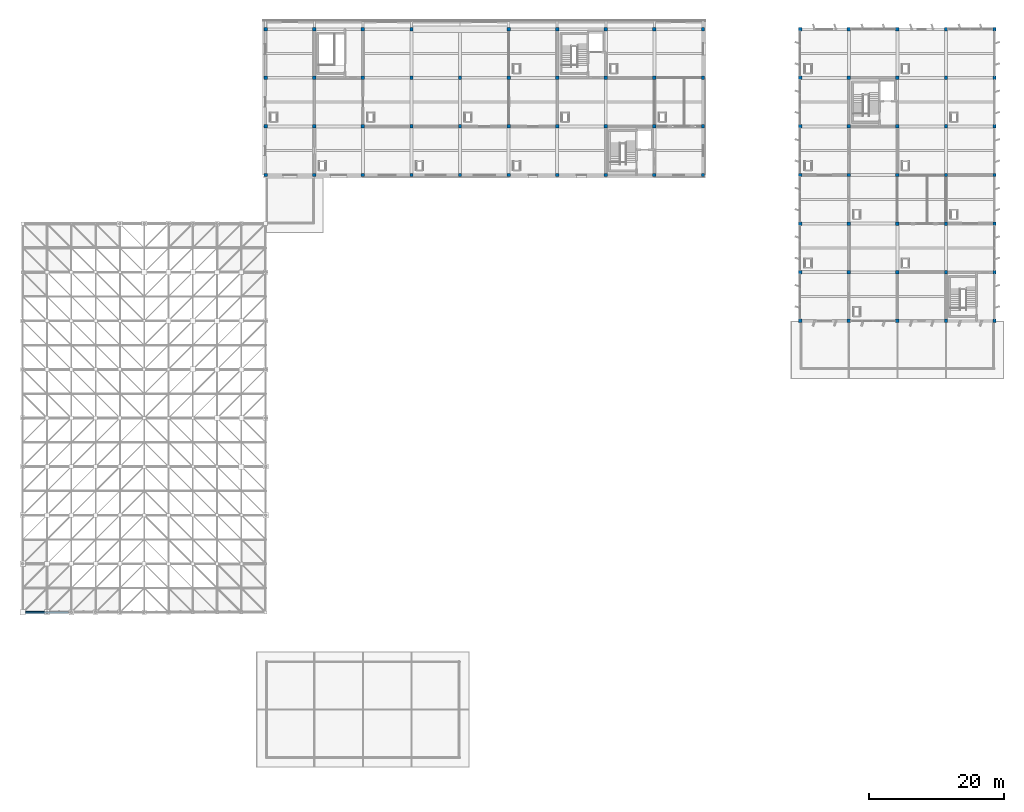
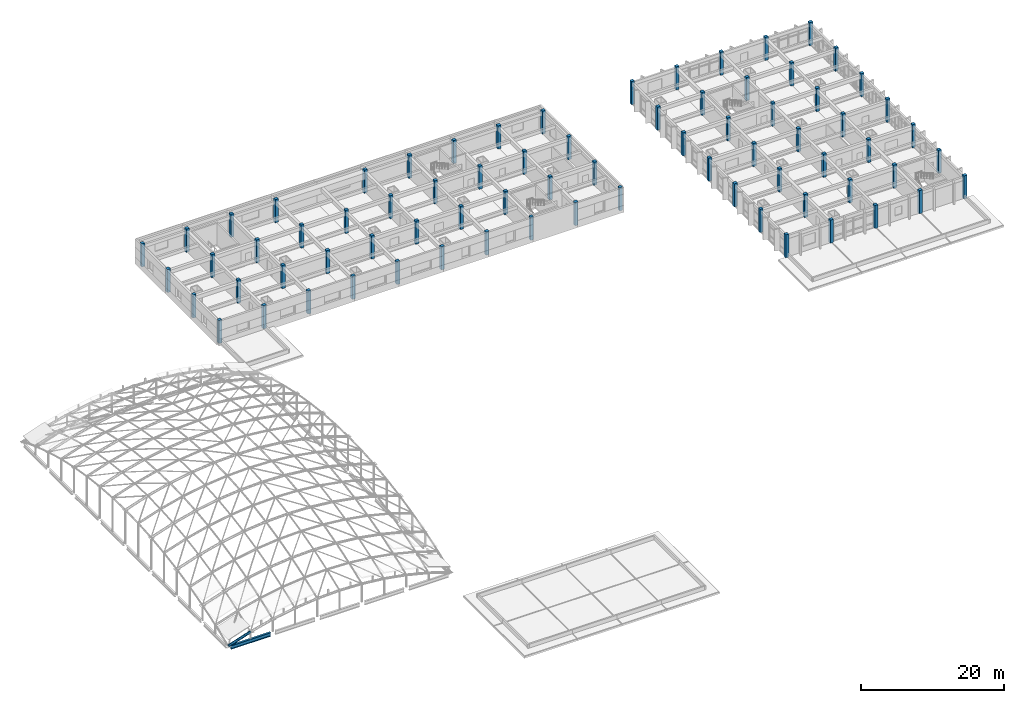
# One storey, part 1 of 40: 74 columns, 1 beam, 1 member.
"""IFC4 building model written with IfcOpenShell, lengths in metres."""

from ifc_helpers import new_model, si_unit, direction, frame, origin, origin_2d, place, context, subcontext, project, spatial, rectangle, hollow_circle, i_section, extrude, material, material_profile, profile_set, type_object, element, save


model = new_model("IFC4")

# Units and contexts
model_context = context("Model", 3, precision=1e-05, world=origin(), true_north=direction((0.0, 1.0)))
body_context = subcontext(model_context, "Body", "Model", "MODEL_VIEW")
ifc_project = project(units=[si_unit("LENGTHUNIT", "METRE"), si_unit("AREAUNIT", "SQUARE_METRE"), si_unit("VOLUMEUNIT", "CUBIC_METRE"), si_unit("PLANEANGLEUNIT", "RADIAN"), si_unit("MASSUNIT", "GRAM", prefix="KILO")], contexts=[model_context])

# Site, building, storey
site_placement = place(None, origin())
site = spatial("IfcSite", under=ifc_project, at=site_placement, CompositionType="ELEMENT")
building_placement = place(site_placement, origin())
building = spatial("IfcBuilding", under=site, at=building_placement, Name="Kavelor Marine Aquarium", CompositionType="ELEMENT")
storey_placement = place(building_placement, frame((0.0, 0.0, 17.639892578125)))
storey = spatial("IfcBuildingStorey", under=building, at=storey_placement, Name="L04", CompositionType="ELEMENT", Elevation=17.639892578125)

# Columns
ifc_material_1 = material(Name="Concrete C40/50", Category="concrete")
ifc_material_profile_1 = material_profile(ifc_material_1, rectangle(XDim=0.5, YDim=0.5, at=origin_2d()), Name="RC-COL 500x500")
ifc_profile_set_1 = profile_set([ifc_material_profile_1], Name="Concrete C40/50")
column_type = type_object("IfcColumnType", Name="COL-C6", PredefinedType="COLUMN", material=ifc_profile_set_1)
for number, where, z_axis, x_axis, name in (
    (1, (39.199951171875, 89.199951171875, 0.0), (0.0, 0.0, 1.0), (1.0, 0.0, 0.0), "col:L04:05_12"),
    (2, (39.199951171875, 96.39990234375, 0.0), (0.0, 0.0, 1.0), (1.0, 0.0, 0.0), "col:L04:05_13"),
    (3, (39.199951171875, 103.60009765625, 0.0), (0.0, 0.0, 1.0), (1.0, 0.0, 0.0), "col:L04:05_14"),
    (4, (39.199951171875, 110.800048828125, 0.0), (0.0, 0.0, 1.0), (1.0, 0.0, 0.0), "col:L04:05_15"),
    (5, (46.39990234375, 89.199951171875, 0.0), (0.0, 0.0, 1.0), (1.0, 0.0, 0.0), "col:L04:06_12"),
    (6, (46.39990234375, 96.39990234375, 0.0), (0.0, 0.0, 1.0), (1.0, 0.0, 0.0), "col:L04:06_13"),
    (7, (46.39990234375, 103.60009765625, 0.0), (0.0, 0.0, 1.0), (1.0, 0.0, 0.0), "col:L04:06_14"),
    (8, (46.39990234375, 110.800048828125, 0.0), (0.0, 0.0, 1.0), (1.0, 0.0, 0.0), "col:L04:06_15"),
    (9, (53.60009765625, 89.199951171875, 0.0), (0.0, 0.0, 1.0), (1.0, 0.0, 0.0), "col:L04:07_12"),
    (10, (53.60009765625, 96.39990234375, 0.0), (0.0, 0.0, 1.0), (1.0, 0.0, 0.0), "col:L04:07_13"),
    (11, (53.60009765625, 103.60009765625, 0.0), (0.0, 0.0, 1.0), (1.0, 0.0, 0.0), "col:L04:07_14"),
    (12, (53.60009765625, 110.800048828125, 0.0), (0.0, 0.0, 1.0), (1.0, 0.0, 0.0), "col:L04:07_15"),
    (13, (60.800048828125, 89.199951171875, 0.0), (0.0, 0.0, 1.0), (1.0, 0.0, 0.0), "col:L04:08_12"),
    (14, (60.800048828125, 96.39990234375, 0.0), (0.0, 0.0, 1.0), (1.0, 0.0, 0.0), "col:L04:08_13"),
    (15, (60.800048828125, 103.60009765625, 0.0), (0.0, 0.0, 1.0), (1.0, 0.0, 0.0), "col:L04:08_14"),
    (16, (60.800048828125, 110.800048828125, 0.0), (0.0, 0.0, 1.0), (1.0, 0.0, 0.0), "col:L04:08_15"),
    (17, (68.0, 89.199951171875, 0.0), (0.0, 0.0, 1.0), (1.0, 0.0, 0.0), "col:L04:09_12"),
    (18, (68.0, 96.39990234375, 0.0), (0.0, 0.0, 1.0), (1.0, 0.0, 0.0), "col:L04:09_13"),
    (19, (68.0, 103.60009765625, 0.0), (0.0, 0.0, 1.0), (1.0, 0.0, 0.0), "col:L04:09_14"),
    (20, (75.199951171875, 89.199951171875, 0.0), (0.0, 0.0, 1.0), (1.0, 0.0, 0.0), "col:L04:10_12"),
    (21, (75.199951171875, 96.39990234375, 0.0), (0.0, 0.0, 1.0), (1.0, 0.0, 0.0), "col:L04:10_13"),
    (22, (75.199951171875, 103.60009765625, 0.0), (0.0, 0.0, 1.0), (1.0, 0.0, 0.0), "col:L04:10_14"),
    (23, (75.199951171875, 110.800048828125, 0.0), (0.0, 0.0, 1.0), (1.0, 0.0, 0.0), "col:L04:10_15"),
    (24, (82.39990234375, 89.199951171875, 0.0), (0.0, 0.0, 1.0), (1.0, 0.0, 0.0), "col:L04:11_12"),
    (25, (82.39990234375, 96.39990234375, 0.0), (0.0, 0.0, 1.0), (1.0, 0.0, 0.0), "col:L04:11_13"),
    (26, (82.39990234375, 103.60009765625, 0.0), (0.0, 0.0, 1.0), (1.0, 0.0, 0.0), "col:L04:11_14"),
    (27, (82.39990234375, 110.800048828125, 0.0), (0.0, 0.0, 1.0), (1.0, 0.0, 0.0), "col:L04:11_15"),
    (28, (89.60009765625, 89.199951171875, 0.0), (0.0, 0.0, 1.0), (1.0, 0.0, 0.0), "col:L04:12_12"),
    (29, (89.60009765625, 96.39990234375, 0.0), (0.0, 0.0, 1.0), (1.0, 0.0, 0.0), "col:L04:12_13"),
    (30, (89.60009765625, 103.60009765625, 0.0), (0.0, 0.0, 1.0), (1.0, 0.0, 0.0), "col:L04:12_14"),
    (31, (89.60009765625, 110.800048828125, 0.0), (0.0, 0.0, 1.0), (1.0, 0.0, 0.0), "col:L04:12_15"),
    (32, (96.800048828125, 89.199951171875, 0.0), (0.0, 0.0, 1.0), (1.0, 0.0, 0.0), "col:L04:13_12"),
    (33, (96.800048828125, 96.39990234375, 0.0), (0.0, 0.0, 1.0), (1.0, 0.0, 0.0), "col:L04:13_13"),
    (34, (96.800048828125, 103.60009765625, 0.0), (0.0, 0.0, 1.0), (1.0, 0.0, 0.0), "col:L04:13_14"),
    (35, (96.800048828125, 110.800048828125, 0.0), (0.0, 0.0, 1.0), (1.0, 0.0, 0.0), "col:L04:13_15"),
    (36, (104.0, 89.199951171875, 0.0), (0.0, 0.0, 1.0), (1.0, 0.0, 0.0), "col:L04:14_12"),
    (37, (104.0, 96.39990234375, 0.0), (0.0, 0.0, 1.0), (1.0, 0.0, 0.0), "col:L04:14_13"),
    (38, (104.0, 103.60009765625, 0.0), (0.0, 0.0, 1.0), (1.0, 0.0, 0.0), "col:L04:14_14"),
    (39, (104.0, 110.800048828125, 0.0), (0.0, 0.0, 1.0), (1.0, 0.0, 0.0), "col:L04:14_15"),
    (40, (118.39990234375, 67.60009765625, 0.0), (0.0, 0.0, 1.0), (1.0, 0.0, 0.0), "col:L04:16_09"),
    (41, (118.39990234375, 74.800048828125, 0.0), (0.0, 0.0, 1.0), (1.0, 0.0, 0.0), "col:L04:16_10"),
    (42, (118.39990234375, 82.0, 0.0), (0.0, 0.0, 1.0), (1.0, 0.0, 0.0), "col:L04:16_11"),
    (43, (118.39990234375, 89.199951171875, 0.0), (0.0, 0.0, 1.0), (1.0, 0.0, 0.0), "col:L04:16_12"),
    (44, (118.39990234375, 96.39990234375, 0.0), (0.0, 0.0, 1.0), (1.0, 0.0, 0.0), "col:L04:16_13"),
    (45, (118.39990234375, 103.60009765625, 0.0), (0.0, 0.0, 1.0), (1.0, 0.0, 0.0), "col:L04:16_14"),
    (46, (118.39990234375, 110.800048828125, 0.0), (0.0, 0.0, 1.0), (1.0, 0.0, 0.0), "col:L04:16_15"),
    (47, (125.60009765625, 67.60009765625, 0.0), (0.0, 0.0, 1.0), (1.0, 0.0, 0.0), "col:L04:17_09"),
    (48, (125.60009765625, 74.800048828125, 0.0), (0.0, 0.0, 1.0), (1.0, 0.0, 0.0), "col:L04:17_10"),
    (49, (125.60009765625, 82.0, 0.0), (0.0, 0.0, 1.0), (1.0, 0.0, 0.0), "col:L04:17_11"),
    (50, (125.60009765625, 89.199951171875, 0.0), (0.0, 0.0, 1.0), (1.0, 0.0, 0.0), "col:L04:17_12"),
    (51, (125.60009765625, 96.39990234375, 0.0), (0.0, 0.0, 1.0), (1.0, 0.0, 0.0), "col:L04:17_13"),
    (52, (125.60009765625, 103.60009765625, 0.0), (0.0, 0.0, 1.0), (1.0, 0.0, 0.0), "col:L04:17_14"),
    (53, (125.60009765625, 110.800048828125, 0.0), (0.0, 0.0, 1.0), (1.0, 0.0, 0.0), "col:L04:17_15"),
    (54, (132.800048828125, 67.60009765625, 0.0), (0.0, 0.0, 1.0), (1.0, 0.0, 0.0), "col:L04:18_09"),
    (55, (132.800048828125, 74.800048828125, 0.0), (0.0, 0.0, 1.0), (1.0, 0.0, 0.0), "col:L04:18_10"),
    (56, (132.800048828125, 82.0, 0.0), (0.0, 0.0, 1.0), (1.0, 0.0, 0.0), "col:L04:18_11"),
    (57, (132.800048828125, 89.199951171875, 0.0), (0.0, 0.0, 1.0), (1.0, 0.0, 0.0), "col:L04:18_12"),
    (58, (132.800048828125, 96.39990234375, 0.0), (0.0, 0.0, 1.0), (1.0, 0.0, 0.0), "col:L04:18_13"),
    (59, (132.800048828125, 103.60009765625, 0.0), (0.0, 0.0, 1.0), (1.0, 0.0, 0.0), "col:L04:18_14"),
    (60, (132.800048828125, 110.800048828125, 0.0), (0.0, 0.0, 1.0), (1.0, 0.0, 0.0), "col:L04:18_15"),
    (61, (140.0, 67.60009765625, 0.0), (0.0, 0.0, 1.0), (1.0, 0.0, 0.0), "col:L04:19_09"),
    (62, (140.0, 74.800048828125, 0.0), (0.0, 0.0, 1.0), (1.0, 0.0, 0.0), "col:L04:19_10"),
    (63, (140.0, 82.0, 0.0), (0.0, 0.0, 1.0), (1.0, 0.0, 0.0), "col:L04:19_11"),
    (64, (140.0, 89.199951171875, 0.0), (0.0, 0.0, 1.0), (1.0, 0.0, 0.0), "col:L04:19_12"),
    (65, (140.0, 96.39990234375, 0.0), (0.0, 0.0, 1.0), (1.0, 0.0, 0.0), "col:L04:19_13"),
    (66, (140.0, 103.60009765625, 0.0), (0.0, 0.0, 1.0), (1.0, 0.0, 0.0), "col:L04:19_14"),
    (67, (140.0, 110.800048828125, 0.0), (0.0, 0.0, 1.0), (1.0, 0.0, 0.0), "col:L04:19_15"),
    (68, (147.199951171875, 67.60009765625, 0.0), (0.0, 0.0, 1.0), (1.0, 0.0, 0.0), "col:L04:20_09"),
    (69, (147.199951171875, 74.800048828125, 0.0), (0.0, 0.0, 1.0), (1.0, 0.0, 0.0), "col:L04:20_10"),
    (70, (147.199951171875, 82.0, 0.0), (0.0, 0.0, 1.0), (1.0, 0.0, 0.0), "col:L04:20_11"),
    (71, (147.199951171875, 89.199951171875, 0.0), (0.0, 0.0, 1.0), (1.0, 0.0, 0.0), "col:L04:20_12"),
    (72, (147.199951171875, 96.39990234375, 0.0), (0.0, 0.0, 1.0), (1.0, 0.0, 0.0), "col:L04:20_13"),
    (73, (147.199951171875, 103.60009765625, 0.0), (0.0, 0.0, 1.0), (1.0, 0.0, 0.0), "col:L04:20_14"),
    (74, (147.199951171875, 110.800048828125, 0.0), (0.0, 0.0, 1.0), (1.0, 0.0, 0.0), "col:L04:20_15"),
):
    element("IfcColumn", number, at=place(storey_placement, frame(where, z_axis=z_axis, x_axis=x_axis)), inside=storey, type_object=column_type, Name=name, PredefinedType="COLUMN", context=body_context, shape_type="SweptSolid", body=[
        extrude(rectangle(XDim=0.5, YDim=0.5, at=origin_2d()), origin(), (0.0, 0.0, 1.0), 3.960205078125),
    ])

# Beam
ifc_material_2 = material(Name="Steel S355", Category="steel")
ifc_material_profile_2 = material_profile(ifc_material_2, i_section(OverallWidth=0.300048828125, OverallDepth=0.64990234375, WebThickness=0.01611328125, FlangeThickness=0.031005859375, FilletRadius=0.027099609375, at=origin_2d()), Name="HEB 650")
ifc_profile_set_2 = profile_set([ifc_material_profile_2], Name="Steel S355")
beam_type = type_object("IfcBeamType", Name="BM-SB1", PredefinedType="BEAM", material=ifc_profile_set_2)
beam_placement = place(storey_placement, frame((3.60009765625, 24.39990234375, -0.324951171875), z_axis=(1.0, 0.0, 0.0), x_axis=(0.0, 1.0, 0.0)))
element("IfcBeam", 75, at=beam_placement, inside=storey, type_object=beam_type, Name="bm:x:L04:L04:00_03", PredefinedType="BEAM", context=body_context, shape_type="SweptSolid", body=[
    extrude(i_section(OverallWidth=0.300048828125, OverallDepth=0.64990234375, WebThickness=0.01611328125, FlangeThickness=0.031005859375, FilletRadius=0.027099609375, at=origin_2d()), origin(), (0.0, 0.0, 1.0), 6.39990234375),
])

# Member
ifc_material_3 = material(Name="Steel S355", Category="steel")
ifc_material_profile_3 = material_profile(ifc_material_3, hollow_circle(Radius=0.203125, WallThickness=0.01611328125, at=origin_2d()), Name="CHS 406.4x16.0")
ifc_profile_set_3 = profile_set([ifc_material_profile_3], Name="Steel S355")
member_type = type_object("IfcMemberType", Name="GS-CH1", PredefinedType="CHORD", material=ifc_profile_set_3)
member_placement = place(storey_placement, frame((3.199951171875, 24.39990234375, 0.0), z_axis=(0.950167603973, 0.0, 0.311739513632), x_axis=(0.0, 1.0, 0.0)))
element("IfcMember", 76, at=member_placement, inside=storey, type_object=member_type, Name="gs:arch:00_00", PredefinedType="CHORD", context=body_context, shape_type="SweptSolid", body=[
    extrude(hollow_circle(Radius=0.203125, WallThickness=0.01611328125, at=origin_2d()), origin(), (0.0, 0.0, 1.0), 3.788818359375),
])

save(model, "model.ifc")
